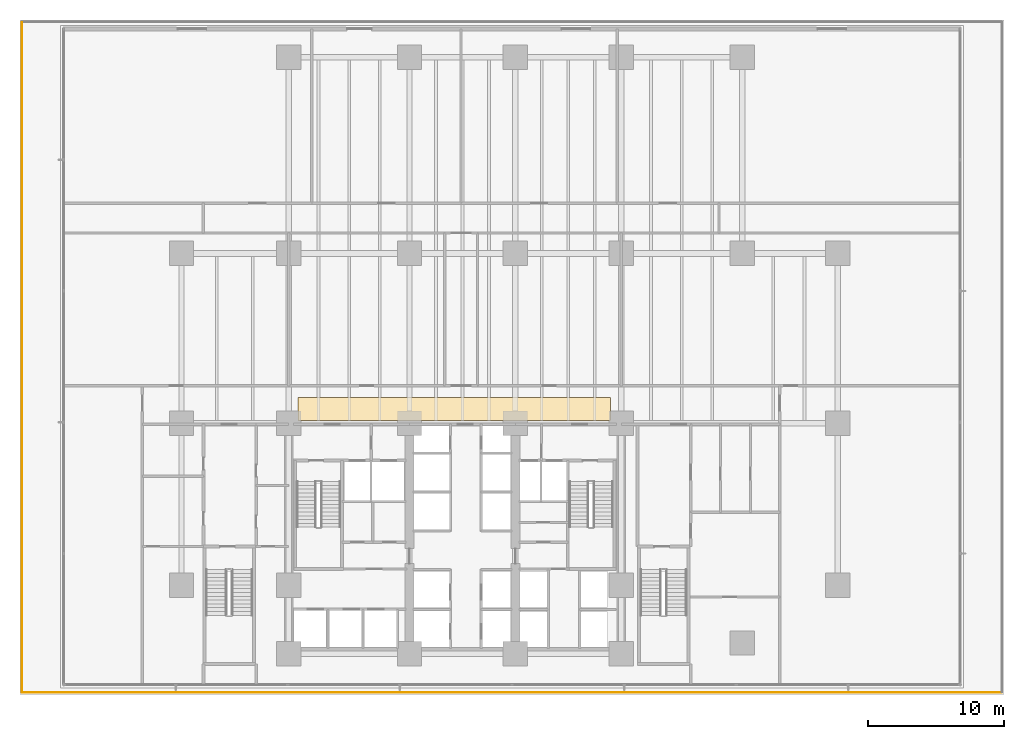
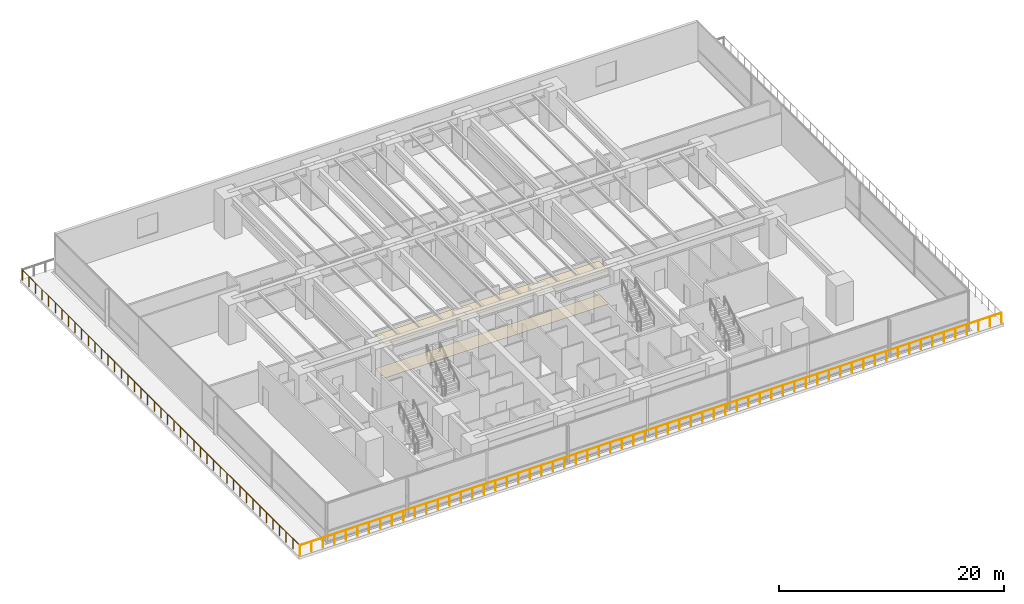
# One storey, part 19 of 24: 2 coverings, 2 railings.
"""IFC4 building model written with IfcOpenShell, lengths in metres."""

from ifc_helpers import new_model, si_unit, direction, frame, origin, origin_2d, place, context, subcontext, project, spatial, polyline, circle, outline, extrude, material, layer, layer_set, type_object, element, save


model = new_model("IFC4")

# Units and contexts
model_context = context("Model", 3, precision=1e-05, world=origin(), true_north=direction((0.0, 1.0)))
body_context = subcontext(model_context, "Body", "Model", "MODEL_VIEW")
ifc_project = project(units=[si_unit("LENGTHUNIT", "METRE"), si_unit("AREAUNIT", "SQUARE_METRE"), si_unit("VOLUMEUNIT", "CUBIC_METRE"), si_unit("PLANEANGLEUNIT", "RADIAN"), si_unit("MASSUNIT", "GRAM", prefix="KILO")], contexts=[model_context])

# Site, building, storey
site_placement = place(None, origin())
site = spatial("IfcSite", under=ifc_project, at=site_placement, CompositionType="ELEMENT")
building_placement = place(site_placement, origin())
building = spatial("IfcBuilding", under=site, at=building_placement, Name="Qalmaran Belvedere Hotel", CompositionType="ELEMENT")
storey_placement = place(building_placement, frame((0.0, 0.0, 14.60009765625)))
storey = spatial("IfcBuildingStorey", under=building, at=storey_placement, Name="L03", CompositionType="ELEMENT", Elevation=14.60009765625)

# Coverings
ifc_material_1 = material(Name="Acoustic Mineral Ceiling")
ifc_layer_1 = layer(ifc_material_1, 0.0400390625, Name="Acoustic Mineral Ceiling")
ifc_layer_set_1 = layer_set([ifc_layer_1], Name="Acoustic Mineral Ceiling")
covering_type_1 = type_object("IfcCoveringType", Name="CLG-ACOUSTIC-40", PredefinedType="CEILING", material=ifc_layer_set_1)
covering_1_placement = place(storey_placement, frame((0.0, 0.0, 3.64990234375)))
element("IfcCovering", 1, at=covering_1_placement, inside=storey, type_object=covering_type_1, Name="L03 Acoustic Corridor Ceiling", PredefinedType="CEILING", context=body_context, shape_type="SweptSolid", body=[
    extrude(outline(polyline([(21.0, 20.699951171875), (44.0, 20.699951171875), (44.0, 22.39990234375), (21.0, 22.39990234375), (21.0, 20.699951171875)])), origin(), (0.0, 0.0, 1.0), 0.0400390625),
])
ifc_material_2 = material(Name="Polished Stone Terrazzo", Category="masonry")
ifc_layer_2 = layer(ifc_material_2, 0.01806640625, Name="Polished Stone Terrazzo")
ifc_layer_set_2 = layer_set([ifc_layer_2], Name="Polished Stone Terrazzo")
covering_type_2 = type_object("IfcCoveringType", Name="FIN-TERRAZZO-18", PredefinedType="FLOORING", material=ifc_layer_set_2)
covering_2_placement = place(storey_placement, frame((0.0, 0.0, 0.001953125)))
element("IfcCovering", 2, at=covering_2_placement, inside=storey, type_object=covering_type_2, Name="L03 Limestone Corridor Flooring", PredefinedType="FLOORING", context=body_context, shape_type="SweptSolid", body=[
    extrude(outline(polyline([(21.0, 20.699951171875), (44.0, 20.699951171875), (44.0, 22.39990234375), (21.0, 22.39990234375), (21.0, 20.699951171875)])), origin(), (0.0, 0.0, 1.0), 0.01806640625),
])

# Railings
ifc_material_3 = material(Name="Anodised Bronze Aluminium", Category="aluminium")
railing_type = type_object("IfcRailingType", Name="GRD-TERR-1150", PredefinedType="BALUSTRADE", material=ifc_material_3)
railing_1_placement = place(storey_placement, frame((0.675048828125, 0.639892578125, 0.0)))
element("IfcRailing", 3, at=railing_1_placement, inside=storey, type_object=railing_type, Name="L03 Guardrail L03-TERR-1", PredefinedType="BALUSTRADE", context=body_context, shape_type="SweptSolid", body=[
    extrude(circle(Radius=0.02392578125, at=origin_2d()), frame((0.0, 0.0, 1.1259765625), z_axis=(1.0, 0.0, 0.0), x_axis=(0.0, 1.0, 0.0)), (0.0, 0.0, 1.0), 72.14990234375),
    extrude(circle(Radius=0.02099609375, at=origin_2d()), origin(), (0.0, 0.0, 1.0), 1.101806640625),
    extrude(circle(Radius=0.02099609375, at=origin_2d()), frame((1.182861328125, 0.0, 0.0)), (0.0, 0.0, 1.0), 1.101806640625),
    extrude(circle(Radius=0.02099609375, at=origin_2d()), frame((2.365478515625, 0.0, 0.0)), (0.0, 0.0, 1.0), 1.101806640625),
    extrude(circle(Radius=0.02099609375, at=origin_2d()), frame((3.54833984375, 0.0, 0.0)), (0.0, 0.0, 1.0), 1.101806640625),
    extrude(circle(Radius=0.02099609375, at=origin_2d()), frame((4.731201171875, 0.0, 0.0)), (0.0, 0.0, 1.0), 1.101806640625),
    extrude(circle(Radius=0.02099609375, at=origin_2d()), frame((5.913818359375, 0.0, 0.0)), (0.0, 0.0, 1.0), 1.101806640625),
    extrude(circle(Radius=0.02099609375, at=origin_2d()), frame((7.0966796875, 0.0, 0.0)), (0.0, 0.0, 1.0), 1.101806640625),
    extrude(circle(Radius=0.02099609375, at=origin_2d()), frame((8.279541015625, 0.0, 0.0)), (0.0, 0.0, 1.0), 1.101806640625),
    extrude(circle(Radius=0.02099609375, at=origin_2d()), frame((9.46240234375, 0.0, 0.0)), (0.0, 0.0, 1.0), 1.101806640625),
    extrude(circle(Radius=0.02099609375, at=origin_2d()), frame((10.64501953125, 0.0, 0.0)), (0.0, 0.0, 1.0), 1.101806640625),
    extrude(circle(Radius=0.02099609375, at=origin_2d()), frame((11.827880859375, 0.0, 0.0)), (0.0, 0.0, 1.0), 1.101806640625),
    extrude(circle(Radius=0.02099609375, at=origin_2d()), frame((13.0107421875, 0.0, 0.0)), (0.0, 0.0, 1.0), 1.101806640625),
    extrude(circle(Radius=0.02099609375, at=origin_2d()), frame((14.193359375, 0.0, 0.0)), (0.0, 0.0, 1.0), 1.101806640625),
    extrude(circle(Radius=0.02099609375, at=origin_2d()), frame((15.376220703125, 0.0, 0.0)), (0.0, 0.0, 1.0), 1.101806640625),
    extrude(circle(Radius=0.02099609375, at=origin_2d()), frame((16.55908203125, 0.0, 0.0)), (0.0, 0.0, 1.0), 1.101806640625),
    extrude(circle(Radius=0.02099609375, at=origin_2d()), frame((17.74169921875, 0.0, 0.0)), (0.0, 0.0, 1.0), 1.101806640625),
    extrude(circle(Radius=0.02099609375, at=origin_2d()), frame((18.924560546875, 0.0, 0.0)), (0.0, 0.0, 1.0), 1.101806640625),
    extrude(circle(Radius=0.02099609375, at=origin_2d()), frame((20.107421875, 0.0, 0.0)), (0.0, 0.0, 1.0), 1.101806640625),
    extrude(circle(Radius=0.02099609375, at=origin_2d()), frame((21.2900390625, 0.0, 0.0)), (0.0, 0.0, 1.0), 1.101806640625),
    extrude(circle(Radius=0.02099609375, at=origin_2d()), frame((22.472900390625, 0.0, 0.0)), (0.0, 0.0, 1.0), 1.101806640625),
    extrude(circle(Radius=0.02099609375, at=origin_2d()), frame((23.65576171875, 0.0, 0.0)), (0.0, 0.0, 1.0), 1.101806640625),
    extrude(circle(Radius=0.02099609375, at=origin_2d()), frame((24.83837890625, 0.0, 0.0)), (0.0, 0.0, 1.0), 1.101806640625),
    extrude(circle(Radius=0.02099609375, at=origin_2d()), frame((26.021240234375, 0.0, 0.0)), (0.0, 0.0, 1.0), 1.101806640625),
    extrude(circle(Radius=0.02099609375, at=origin_2d()), frame((27.2041015625, 0.0, 0.0)), (0.0, 0.0, 1.0), 1.101806640625),
    extrude(circle(Radius=0.02099609375, at=origin_2d()), frame((28.386962890625, 0.0, 0.0)), (0.0, 0.0, 1.0), 1.101806640625),
    extrude(circle(Radius=0.02099609375, at=origin_2d()), frame((29.569580078125, 0.0, 0.0)), (0.0, 0.0, 1.0), 1.101806640625),
    extrude(circle(Radius=0.02099609375, at=origin_2d()), frame((30.75244140625, 0.0, 0.0)), (0.0, 0.0, 1.0), 1.101806640625),
    extrude(circle(Radius=0.02099609375, at=origin_2d()), frame((31.935302734375, 0.0, 0.0)), (0.0, 0.0, 1.0), 1.101806640625),
    extrude(circle(Radius=0.02099609375, at=origin_2d()), frame((33.117919921875, 0.0, 0.0)), (0.0, 0.0, 1.0), 1.101806640625),
    extrude(circle(Radius=0.02099609375, at=origin_2d()), frame((34.30078125, 0.0, 0.0)), (0.0, 0.0, 1.0), 1.101806640625),
    extrude(circle(Radius=0.02099609375, at=origin_2d()), frame((35.483642578125, 0.0, 0.0)), (0.0, 0.0, 1.0), 1.101806640625),
    extrude(circle(Radius=0.02099609375, at=origin_2d()), frame((36.666259765625, 0.0, 0.0)), (0.0, 0.0, 1.0), 1.101806640625),
    extrude(circle(Radius=0.02099609375, at=origin_2d()), frame((37.84912109375, 0.0, 0.0)), (0.0, 0.0, 1.0), 1.101806640625),
    extrude(circle(Radius=0.02099609375, at=origin_2d()), frame((39.031982421875, 0.0, 0.0)), (0.0, 0.0, 1.0), 1.101806640625),
    extrude(circle(Radius=0.02099609375, at=origin_2d()), frame((40.214599609375, 0.0, 0.0)), (0.0, 0.0, 1.0), 1.101806640625),
    extrude(circle(Radius=0.02099609375, at=origin_2d()), frame((41.3974609375, 0.0, 0.0)), (0.0, 0.0, 1.0), 1.101806640625),
    extrude(circle(Radius=0.02099609375, at=origin_2d()), frame((42.580322265625, 0.0, 0.0)), (0.0, 0.0, 1.0), 1.101806640625),
    extrude(circle(Radius=0.02099609375, at=origin_2d()), frame((43.762939453125, 0.0, 0.0)), (0.0, 0.0, 1.0), 1.101806640625),
    extrude(circle(Radius=0.02099609375, at=origin_2d()), frame((44.94580078125, 0.0, 0.0)), (0.0, 0.0, 1.0), 1.101806640625),
    extrude(circle(Radius=0.02099609375, at=origin_2d()), frame((46.128662109375, 0.0, 0.0)), (0.0, 0.0, 1.0), 1.101806640625),
    extrude(circle(Radius=0.02099609375, at=origin_2d()), frame((47.3115234375, 0.0, 0.0)), (0.0, 0.0, 1.0), 1.101806640625),
    extrude(circle(Radius=0.02099609375, at=origin_2d()), frame((48.494140625, 0.0, 0.0)), (0.0, 0.0, 1.0), 1.101806640625),
    extrude(circle(Radius=0.02099609375, at=origin_2d()), frame((49.677001953125, 0.0, 0.0)), (0.0, 0.0, 1.0), 1.101806640625),
    extrude(circle(Radius=0.02099609375, at=origin_2d()), frame((50.85986328125, 0.0, 0.0)), (0.0, 0.0, 1.0), 1.101806640625),
    extrude(circle(Radius=0.02099609375, at=origin_2d()), frame((52.04248046875, 0.0, 0.0)), (0.0, 0.0, 1.0), 1.101806640625),
    extrude(circle(Radius=0.02099609375, at=origin_2d()), frame((53.225341796875, 0.0, 0.0)), (0.0, 0.0, 1.0), 1.101806640625),
    extrude(circle(Radius=0.02099609375, at=origin_2d()), frame((54.408203125, 0.0, 0.0)), (0.0, 0.0, 1.0), 1.101806640625),
    extrude(circle(Radius=0.02099609375, at=origin_2d()), frame((55.5908203125, 0.0, 0.0)), (0.0, 0.0, 1.0), 1.101806640625),
    extrude(circle(Radius=0.02099609375, at=origin_2d()), frame((56.773681640625, 0.0, 0.0)), (0.0, 0.0, 1.0), 1.101806640625),
    extrude(circle(Radius=0.02099609375, at=origin_2d()), frame((57.95654296875, 0.0, 0.0)), (0.0, 0.0, 1.0), 1.101806640625),
    extrude(circle(Radius=0.02099609375, at=origin_2d()), frame((59.13916015625, 0.0, 0.0)), (0.0, 0.0, 1.0), 1.101806640625),
    extrude(circle(Radius=0.02099609375, at=origin_2d()), frame((60.322021484375, 0.0, 0.0)), (0.0, 0.0, 1.0), 1.101806640625),
    extrude(circle(Radius=0.02099609375, at=origin_2d()), frame((61.5048828125, 0.0, 0.0)), (0.0, 0.0, 1.0), 1.101806640625),
    extrude(circle(Radius=0.02099609375, at=origin_2d()), frame((62.6875, 0.0, 0.0)), (0.0, 0.0, 1.0), 1.101806640625),
    extrude(circle(Radius=0.02099609375, at=origin_2d()), frame((63.870361328125, 0.0, 0.0)), (0.0, 0.0, 1.0), 1.101806640625),
    extrude(circle(Radius=0.02099609375, at=origin_2d()), frame((65.05322265625, 0.0, 0.0)), (0.0, 0.0, 1.0), 1.101806640625),
    extrude(circle(Radius=0.02099609375, at=origin_2d()), frame((66.236083984375, 0.0, 0.0)), (0.0, 0.0, 1.0), 1.101806640625),
    extrude(circle(Radius=0.02099609375, at=origin_2d()), frame((67.418701171875, 0.0, 0.0)), (0.0, 0.0, 1.0), 1.101806640625),
    extrude(circle(Radius=0.02099609375, at=origin_2d()), frame((68.6015625, 0.0, 0.0)), (0.0, 0.0, 1.0), 1.101806640625),
    extrude(circle(Radius=0.02099609375, at=origin_2d()), frame((69.784423828125, 0.0, 0.0)), (0.0, 0.0, 1.0), 1.101806640625),
    extrude(circle(Radius=0.02099609375, at=origin_2d()), frame((70.967041015625, 0.0, 0.0)), (0.0, 0.0, 1.0), 1.101806640625),
    extrude(circle(Radius=0.02099609375, at=origin_2d()), frame((72.14990234375, 0.0, 0.0)), (0.0, 0.0, 1.0), 1.101806640625),
])
railing_2_placement = place(storey_placement, frame((0.639892578125, 50.02490234375, 0.0)))
element("IfcRailing", 4, at=railing_2_placement, inside=storey, type_object=railing_type, Name="L03 Guardrail L03-TERR-4", PredefinedType="BALUSTRADE", context=body_context, shape_type="SweptSolid", body=[
    extrude(circle(Radius=0.02392578125, at=origin_2d()), frame((0.0, 0.0, 1.1259765625), z_axis=(0.0, -1.0, 0.0), x_axis=(1.0, 0.0, 0.0)), (0.0, 0.0, 1.0), 49.349853515625),
    extrude(circle(Radius=0.02099609375, at=origin_2d()), origin(), (0.0, 0.0, 1.0), 1.101806640625),
    extrude(circle(Radius=0.02099609375, at=origin_2d()), frame((0.0, -1.175048828125, 0.0)), (0.0, 0.0, 1.0), 1.101806640625),
    extrude(circle(Radius=0.02099609375, at=origin_2d()), frame((0.0, -2.35009765625, 0.0)), (0.0, 0.0, 1.0), 1.101806640625),
    extrude(circle(Radius=0.02099609375, at=origin_2d()), frame((0.0, -3.52490234375, 0.0)), (0.0, 0.0, 1.0), 1.101806640625),
    extrude(circle(Radius=0.02099609375, at=origin_2d()), frame((0.0, -4.699951171875, 0.0)), (0.0, 0.0, 1.0), 1.101806640625),
    extrude(circle(Radius=0.02099609375, at=origin_2d()), frame((0.0, -5.875, 0.0)), (0.0, 0.0, 1.0), 1.101806640625),
    extrude(circle(Radius=0.02099609375, at=origin_2d()), frame((0.0, -7.050048828125, 0.0)), (0.0, 0.0, 1.0), 1.101806640625),
    extrude(circle(Radius=0.02099609375, at=origin_2d()), frame((0.0, -8.22509765625, 0.0)), (0.0, 0.0, 1.0), 1.101806640625),
    extrude(circle(Radius=0.02099609375, at=origin_2d()), frame((0.0, -9.39990234375, 0.0)), (0.0, 0.0, 1.0), 1.101806640625),
    extrude(circle(Radius=0.02099609375, at=origin_2d()), frame((0.0, -10.574951171875, 0.0)), (0.0, 0.0, 1.0), 1.101806640625),
    extrude(circle(Radius=0.02099609375, at=origin_2d()), frame((0.0, -11.75, 0.0)), (0.0, 0.0, 1.0), 1.101806640625),
    extrude(circle(Radius=0.02099609375, at=origin_2d()), frame((0.0, -12.925048828125, 0.0)), (0.0, 0.0, 1.0), 1.101806640625),
    extrude(circle(Radius=0.02099609375, at=origin_2d()), frame((0.0, -14.099853515625, 0.0)), (0.0, 0.0, 1.0), 1.101806640625),
    extrude(circle(Radius=0.02099609375, at=origin_2d()), frame((0.0, -15.27490234375, 0.0)), (0.0, 0.0, 1.0), 1.101806640625),
    extrude(circle(Radius=0.02099609375, at=origin_2d()), frame((0.0, -16.449951171875, 0.0)), (0.0, 0.0, 1.0), 1.101806640625),
    extrude(circle(Radius=0.02099609375, at=origin_2d()), frame((0.0, -17.625, 0.0)), (0.0, 0.0, 1.0), 1.101806640625),
    extrude(circle(Radius=0.02099609375, at=origin_2d()), frame((0.0, -18.800048828125, 0.0)), (0.0, 0.0, 1.0), 1.101806640625),
    extrude(circle(Radius=0.02099609375, at=origin_2d()), frame((0.0, -19.974853515625, 0.0)), (0.0, 0.0, 1.0), 1.101806640625),
    extrude(circle(Radius=0.02099609375, at=origin_2d()), frame((0.0, -21.14990234375, 0.0)), (0.0, 0.0, 1.0), 1.101806640625),
    extrude(circle(Radius=0.02099609375, at=origin_2d()), frame((0.0, -22.324951171875, 0.0)), (0.0, 0.0, 1.0), 1.101806640625),
    extrude(circle(Radius=0.02099609375, at=origin_2d()), frame((0.0, -23.5, 0.0)), (0.0, 0.0, 1.0), 1.101806640625),
    extrude(circle(Radius=0.02099609375, at=origin_2d()), frame((0.0, -24.6748046875, 0.0)), (0.0, 0.0, 1.0), 1.101806640625),
    extrude(circle(Radius=0.02099609375, at=origin_2d()), frame((0.0, -25.849853515625, 0.0)), (0.0, 0.0, 1.0), 1.101806640625),
    extrude(circle(Radius=0.02099609375, at=origin_2d()), frame((0.0, -27.02490234375, 0.0)), (0.0, 0.0, 1.0), 1.101806640625),
    extrude(circle(Radius=0.02099609375, at=origin_2d()), frame((0.0, -28.199951171875, 0.0)), (0.0, 0.0, 1.0), 1.101806640625),
    extrude(circle(Radius=0.02099609375, at=origin_2d()), frame((0.0, -29.375, 0.0)), (0.0, 0.0, 1.0), 1.101806640625),
    extrude(circle(Radius=0.02099609375, at=origin_2d()), frame((0.0, -30.5498046875, 0.0)), (0.0, 0.0, 1.0), 1.101806640625),
    extrude(circle(Radius=0.02099609375, at=origin_2d()), frame((0.0, -31.724853515625, 0.0)), (0.0, 0.0, 1.0), 1.101806640625),
    extrude(circle(Radius=0.02099609375, at=origin_2d()), frame((0.0, -32.89990234375, 0.0)), (0.0, 0.0, 1.0), 1.101806640625),
    extrude(circle(Radius=0.02099609375, at=origin_2d()), frame((0.0, -34.074951171875, 0.0)), (0.0, 0.0, 1.0), 1.101806640625),
    extrude(circle(Radius=0.02099609375, at=origin_2d()), frame((0.0, -35.25, 0.0)), (0.0, 0.0, 1.0), 1.101806640625),
    extrude(circle(Radius=0.02099609375, at=origin_2d()), frame((0.0, -36.4248046875, 0.0)), (0.0, 0.0, 1.0), 1.101806640625),
    extrude(circle(Radius=0.02099609375, at=origin_2d()), frame((0.0, -37.599853515625, 0.0)), (0.0, 0.0, 1.0), 1.101806640625),
    extrude(circle(Radius=0.02099609375, at=origin_2d()), frame((0.0, -38.77490234375, 0.0)), (0.0, 0.0, 1.0), 1.101806640625),
    extrude(circle(Radius=0.02099609375, at=origin_2d()), frame((0.0, -39.949951171875, 0.0)), (0.0, 0.0, 1.0), 1.101806640625),
    extrude(circle(Radius=0.02099609375, at=origin_2d()), frame((0.0, -41.125, 0.0)), (0.0, 0.0, 1.0), 1.101806640625),
    extrude(circle(Radius=0.02099609375, at=origin_2d()), frame((0.0, -42.2998046875, 0.0)), (0.0, 0.0, 1.0), 1.101806640625),
    extrude(circle(Radius=0.02099609375, at=origin_2d()), frame((0.0, -43.474853515625, 0.0)), (0.0, 0.0, 1.0), 1.101806640625),
    extrude(circle(Radius=0.02099609375, at=origin_2d()), frame((0.0, -44.64990234375, 0.0)), (0.0, 0.0, 1.0), 1.101806640625),
    extrude(circle(Radius=0.02099609375, at=origin_2d()), frame((0.0, -45.824951171875, 0.0)), (0.0, 0.0, 1.0), 1.101806640625),
    extrude(circle(Radius=0.02099609375, at=origin_2d()), frame((0.0, -46.999755859375, 0.0)), (0.0, 0.0, 1.0), 1.101806640625),
    extrude(circle(Radius=0.02099609375, at=origin_2d()), frame((0.0, -48.1748046875, 0.0)), (0.0, 0.0, 1.0), 1.101806640625),
    extrude(circle(Radius=0.02099609375, at=origin_2d()), frame((0.0, -49.349853515625, 0.0)), (0.0, 0.0, 1.0), 1.101806640625),
])

save(model, "model.ifc")
